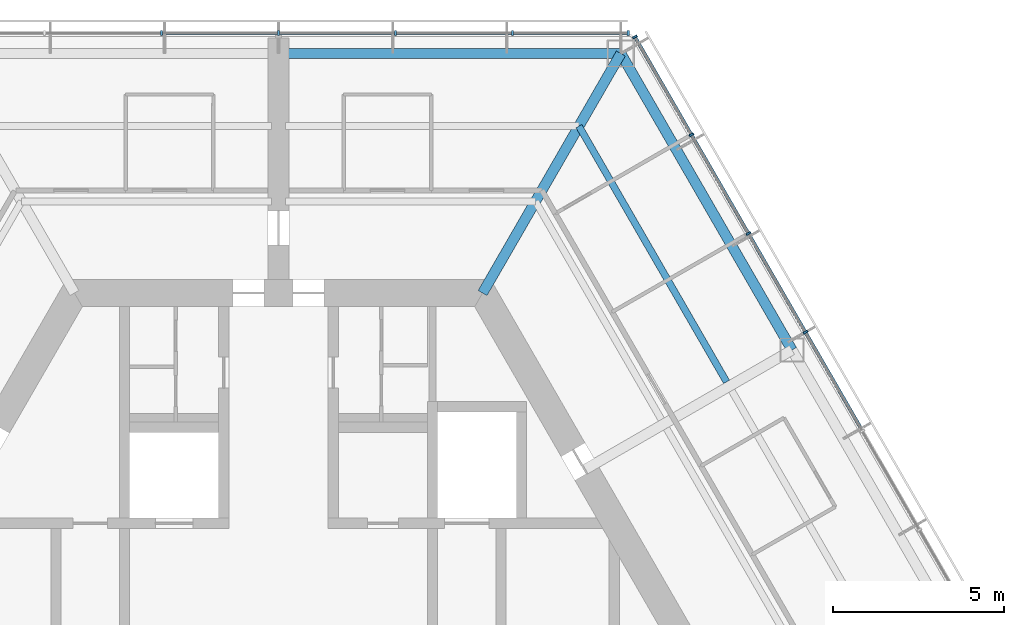
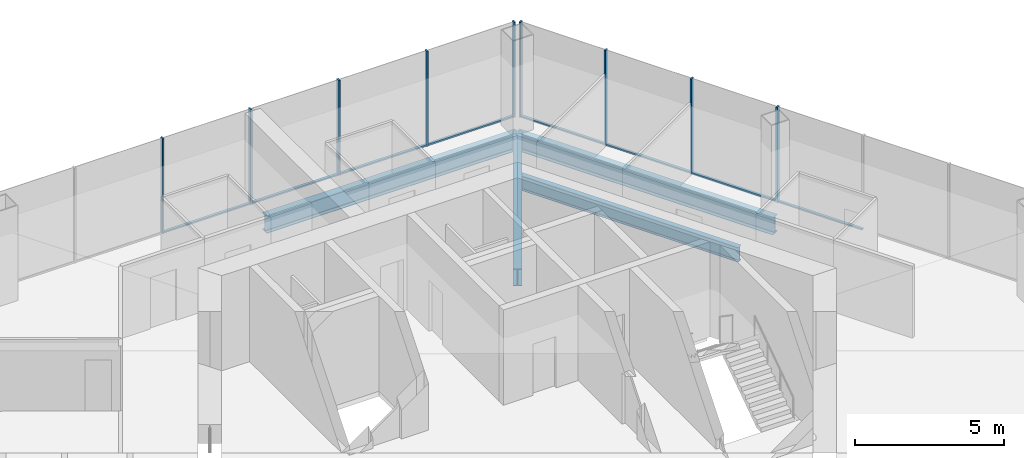
# One storey, part 7 of 15: 17 members, 4 beams, 2 elements without a shape of their own.
"""IFC4 building model written with IfcOpenShell, lengths in metres."""

from ifc_helpers import new_model, si_unit, direction, frame, origin, origin_2d, place, context, subcontext, project, spatial, rectangle, i_section, extrude, material, material_profile, profile_set, type_object, element, aggregate, save


model = new_model("IFC4")

# Units and contexts
model_context = context("Model", 3, precision=1e-05, world=origin(), true_north=direction((0.0, 1.0)))
body_context = subcontext(model_context, "Body", "Model", "MODEL_VIEW")
ifc_project = project(units=[si_unit("LENGTHUNIT", "METRE"), si_unit("AREAUNIT", "SQUARE_METRE"), si_unit("VOLUMEUNIT", "CUBIC_METRE"), si_unit("PLANEANGLEUNIT", "RADIAN"), si_unit("MASSUNIT", "GRAM", prefix="KILO")], contexts=[model_context])

# Site, building, storey
site_placement = place(None, origin())
site = spatial("IfcSite", under=ifc_project, at=site_placement, CompositionType="ELEMENT")
building_placement = place(site_placement, origin())
building = spatial("IfcBuilding", under=site, at=building_placement, Name="Kasaneha Research Tower", CompositionType="ELEMENT")
storey_placement = place(building_placement, frame((0.0, 0.0, 240.10009765625)))
storey = spatial("IfcBuildingStorey", under=building, at=storey_placement, Name="L60", CompositionType="ELEMENT", Elevation=240.10009765625)

# Beam
ifc_material_1 = material(Name="Steel SN490B", Category="steel")
ifc_material_profile_1 = material_profile(ifc_material_1, i_section(OverallWidth=0.199951171875, OverallDepth=0.60009765625, WebThickness=0.010986328125, FlangeThickness=0.01708984375, FilletRadius=0.012939453125, at=origin_2d()), Name="H-600x200x11x17")
ifc_profile_set_1 = profile_set([ifc_material_profile_1], Name="Steel SN490B")
beam_type_1 = type_object("IfcBeamType", Name="B1-3 secondary beam H-600x200x11x17", PredefinedType="JOIST", material=ifc_profile_set_1)
beam_1_placement = place(storey_placement, frame((8.775634765625, 15.199951171875, -0.4501953125), z_axis=(0.500017275495, -0.866015429543, 0.0), x_axis=(0.866015429543, 0.500017275495, 0.0)))
element("IfcBeam", 1, at=beam_1_placement, inside=storey, type_object=beam_type_1, Name="Secondary beam RS030R2 L60", PredefinedType="JOIST", context=body_context, shape_type="SweptSolid", body=[
    extrude(i_section(OverallWidth=0.199951171875, OverallDepth=0.60009765625, WebThickness=0.010986328125, FlangeThickness=0.01708984375, FilletRadius=0.012939453125, at=origin_2d()), origin(), (0.0, 0.0, 1.0), 8.625732421875),
])

# Curtain wall, members
ifc_material_2 = material(Name="Glass and aluminium", Category="aluminium")
curtain_wall_type = type_object("IfcCurtainWallType", Name="High-rise office curtain wall", PredefinedType="USERDEFINED", material=ifc_material_2)
curtain_wall_1_placement = place(storey_placement, origin())
curtain_wall_1 = element("IfcCurtainWall", 2, at=curtain_wall_1_placement, inside=storey, type_object=curtain_wall_type, Name="CW-O3 L60 run 01a", ObjectType="UNITISED CURTAIN WALL", PredefinedType="USERDEFINED")
ifc_material_3 = material(Name="Aluminium 6063-T6", Category="aluminium")
ifc_material_profile_2 = material_profile(ifc_material_3, rectangle(XDim=0.06005859375, YDim=0.139892578125, at=origin_2d()), Name="CW-O3 mullion 60x140")
ifc_profile_set_2 = profile_set([ifc_material_profile_2], Name="Aluminium 6063-T6")
member_type_1 = type_object("IfcMemberType", Name="CW-O3 mullion", PredefinedType="MULLION", material=ifc_profile_set_2)
member_1_placement = place(storey_placement, frame((15.392822265625, 9.179931640625, 0.0), z_axis=(0.0, 0.0, 1.0), x_axis=(-0.499999979232, 0.866025415775, 0.0)))
member_1 = element("IfcMember", 3, at=member_1_placement, type_object=member_type_1, Name="CW-O3 mullion 4", PredefinedType="MULLION", context=body_context, shape_type="SweptSolid", body=[
    extrude(rectangle(XDim=0.06005859375, YDim=0.139892578125, at=origin_2d()), origin(), (0.0, 0.0, 1.0), 3.89990234375),
])
member_2_placement = place(storey_placement, frame((13.727294921875, 12.064453125, 0.0), z_axis=(0.0, 0.0, 1.0), x_axis=(-0.499999979232, 0.866025415775, 0.0)))
member_2 = element("IfcMember", 4, at=member_2_placement, type_object=member_type_1, Name="CW-O3 mullion 5", PredefinedType="MULLION", context=body_context, shape_type="SweptSolid", body=[
    extrude(rectangle(XDim=0.06005859375, YDim=0.139892578125, at=origin_2d()), origin(), (0.0, 0.0, 1.0), 3.89990234375),
])
member_3_placement = place(storey_placement, frame((12.061767578125, 14.94921875, 0.0), z_axis=(0.0, 0.0, 1.0), x_axis=(-0.499999979232, 0.866025415775, 0.0)))
member_3 = element("IfcMember", 5, at=member_3_placement, type_object=member_type_1, Name="CW-O3 mullion 6", PredefinedType="MULLION", context=body_context, shape_type="SweptSolid", body=[
    extrude(rectangle(XDim=0.06005859375, YDim=0.139892578125, at=origin_2d()), origin(), (0.0, 0.0, 1.0), 3.89990234375),
])
member_4_placement = place(storey_placement, frame((10.411376953125, 17.807861328125, 0.0), z_axis=(0.0, 0.0, 1.0), x_axis=(-0.499999979232, 0.866025415775, 0.0)))
member_4 = element("IfcMember", 6, at=member_4_placement, type_object=member_type_1, Name="CW-O3 mullion 7", PredefinedType="MULLION", context=body_context, shape_type="SweptSolid", body=[
    extrude(rectangle(XDim=0.06005859375, YDim=0.139892578125, at=origin_2d()), origin(), (0.0, 0.0, 1.0), 3.89990234375),
])

curtain_wall_2_placement = place(storey_placement, origin())
curtain_wall_2 = element("IfcCurtainWall", 7, at=curtain_wall_2_placement, inside=storey, type_object=curtain_wall_type, Name="CW-O3 L60 run 02a", ObjectType="UNITISED CURTAIN WALL", PredefinedType="USERDEFINED")
member_5_placement = place(storey_placement, frame((10.21630859375, 17.92041015625, 0.0), z_axis=(0.0, 0.0, 1.0), x_axis=(-1.0, 0.0, 0.0)))
member_5 = element("IfcMember", 8, at=member_5_placement, type_object=member_type_1, Name="CW-O3 mullion 1", PredefinedType="MULLION", context=body_context, shape_type="SweptSolid", body=[
    extrude(rectangle(XDim=0.06005859375, YDim=0.139892578125, at=origin_2d()), origin(), (0.0, 0.0, 1.0), 3.89990234375),
])
member_6_placement = place(storey_placement, frame((6.8310546875, 17.92041015625, 0.0), z_axis=(0.0, 0.0, 1.0), x_axis=(-1.0, 0.0, 0.0)))
member_6 = element("IfcMember", 9, at=member_6_placement, type_object=member_type_1, Name="CW-O3 mullion 2", PredefinedType="MULLION", context=body_context, shape_type="SweptSolid", body=[
    extrude(rectangle(XDim=0.06005859375, YDim=0.139892578125, at=origin_2d()), origin(), (0.0, 0.0, 1.0), 3.89990234375),
])
member_7_placement = place(storey_placement, frame((3.41552734375, 17.92041015625, 0.0), z_axis=(0.0, 0.0, 1.0), x_axis=(-1.0, 0.0, 0.0)))
member_7 = element("IfcMember", 10, at=member_7_placement, type_object=member_type_1, Name="CW-O3 mullion 3", PredefinedType="MULLION", context=body_context, shape_type="SweptSolid", body=[
    extrude(rectangle(XDim=0.06005859375, YDim=0.139892578125, at=origin_2d()), origin(), (0.0, 0.0, 1.0), 3.89990234375),
])
member_8_placement = place(storey_placement, frame((0.0, 17.92041015625, 0.0), z_axis=(0.0, 0.0, 1.0), x_axis=(-1.0, 0.0, 0.0)))
member_8 = element("IfcMember", 11, at=member_8_placement, type_object=member_type_1, Name="CW-O3 mullion 4", PredefinedType="MULLION", context=body_context, shape_type="SweptSolid", body=[
    extrude(rectangle(XDim=0.06005859375, YDim=0.139892578125, at=origin_2d()), origin(), (0.0, 0.0, 1.0), 3.89990234375),
])
member_9_placement = place(storey_placement, frame((-3.41552734375, 17.92041015625, 0.0), z_axis=(0.0, 0.0, 1.0), x_axis=(-1.0, 0.0, 0.0)))
member_9 = element("IfcMember", 12, at=member_9_placement, type_object=member_type_1, Name="CW-O3 mullion 5", PredefinedType="MULLION", context=body_context, shape_type="SweptSolid", body=[
    extrude(rectangle(XDim=0.06005859375, YDim=0.139892578125, at=origin_2d()), origin(), (0.0, 0.0, 1.0), 3.89990234375),
])

# Member
ifc_material_4 = material(Name="Aluminium 6063-T6", Category="aluminium")
ifc_material_profile_3 = material_profile(ifc_material_4, rectangle(XDim=0.10009765625, YDim=0.06005859375, at=origin_2d()), Name="CW-O3 transom 100x60")
ifc_profile_set_3 = profile_set([ifc_material_profile_3], Name="Aluminium 6063-T6")
member_type_2 = type_object("IfcMemberType", Name="CW-O3 transom", PredefinedType="USERDEFINED", material=ifc_profile_set_3)
member_10_placement = place(storey_placement, frame((17.043212890625, 6.3212890625, 0.02978515625), z_axis=(-0.50003259116, 0.866006586452, 0.0), x_axis=(-0.866006586452, -0.50003259116, 0.0)))
member_10 = element("IfcMember", 13, at=member_10_placement, type_object=member_type_2, Name="CW-O3 transom 3", ObjectType="TRANSOM", PredefinedType="USERDEFINED", context=body_context, shape_type="SweptSolid", body=[
    extrude(rectangle(XDim=0.10009765625, YDim=0.06005859375, at=origin_2d()), origin(), (0.0, 0.0, 1.0), 3.270751953125),
])

member_11_placement = place(storey_placement, frame((15.3779296875, 9.205810546875, 0.02978515625), z_axis=(-0.500000270186, 0.866025247793, 0.0), x_axis=(-0.866025247793, -0.500000270186, 0.0)))
member_11 = element("IfcMember", 14, at=member_11_placement, type_object=member_type_2, Name="CW-O3 transom 4", ObjectType="TRANSOM", PredefinedType="USERDEFINED", context=body_context, shape_type="SweptSolid", body=[
    extrude(rectangle(XDim=0.10009765625, YDim=0.06005859375, at=origin_2d()), origin(), (0.0, 0.0, 1.0), 3.27099609375),
])

member_12_placement = place(storey_placement, frame((13.71240234375, 12.090576171875, 0.02978515625), z_axis=(-0.500000270186, 0.866025247793, 0.0), x_axis=(-0.866025247793, -0.500000270186, 0.0)))
member_12 = element("IfcMember", 15, at=member_12_placement, type_object=member_type_2, Name="CW-O3 transom 5", ObjectType="TRANSOM", PredefinedType="USERDEFINED", context=body_context, shape_type="SweptSolid", body=[
    extrude(rectangle(XDim=0.10009765625, YDim=0.06005859375, at=origin_2d()), origin(), (0.0, 0.0, 1.0), 3.27099609375),
])

member_13_placement = place(storey_placement, frame((12.046875, 14.97509765625, 0.02978515625), z_axis=(-0.499955025697, 0.866051368154, 0.0), x_axis=(-0.866051368154, -0.499955025697, 0.0)))
member_13 = element("IfcMember", 16, at=member_13_placement, type_object=member_type_2, Name="CW-O3 transom 6", ObjectType="TRANSOM", PredefinedType="USERDEFINED", context=body_context, shape_type="SweptSolid", body=[
    extrude(rectangle(XDim=0.10009765625, YDim=0.06005859375, at=origin_2d()), origin(), (0.0, 0.0, 1.0), 3.240966796875),
])

aggregate(curtain_wall_1, [member_1, member_2, member_3, member_4, member_10, member_11, member_12, member_13])

member_14_placement = place(storey_placement, frame((10.1865234375, 17.92041015625, 0.02978515625), z_axis=(-1.0, 0.0, 0.0), x_axis=(0.0, -1.0, 0.0)))
member_14 = element("IfcMember", 17, at=member_14_placement, type_object=member_type_2, Name="CW-O3 transom 1", ObjectType="TRANSOM", PredefinedType="USERDEFINED", context=body_context, shape_type="SweptSolid", body=[
    extrude(rectangle(XDim=0.10009765625, YDim=0.06005859375, at=origin_2d()), origin(), (0.0, 0.0, 1.0), 3.32568359375),
])

member_15_placement = place(storey_placement, frame((6.801025390625, 17.92041015625, 0.02978515625), z_axis=(-1.0, 0.0, 0.0), x_axis=(0.0, -1.0, 0.0)))
member_15 = element("IfcMember", 18, at=member_15_placement, type_object=member_type_2, Name="CW-O3 transom 2", ObjectType="TRANSOM", PredefinedType="USERDEFINED", context=body_context, shape_type="SweptSolid", body=[
    extrude(rectangle(XDim=0.10009765625, YDim=0.06005859375, at=origin_2d()), origin(), (0.0, 0.0, 1.0), 3.35546875),
])

member_16_placement = place(storey_placement, frame((3.385498046875, 17.92041015625, 0.02978515625), z_axis=(-1.0, 0.0, 0.0), x_axis=(0.0, -1.0, 0.0)))
member_16 = element("IfcMember", 19, at=member_16_placement, type_object=member_type_2, Name="CW-O3 transom 3", ObjectType="TRANSOM", PredefinedType="USERDEFINED", context=body_context, shape_type="SweptSolid", body=[
    extrude(rectangle(XDim=0.10009765625, YDim=0.06005859375, at=origin_2d()), origin(), (0.0, 0.0, 1.0), 3.35546875),
])

member_17_placement = place(storey_placement, frame((-0.030029296875, 17.92041015625, 0.02978515625), z_axis=(-1.0, 0.0, 0.0), x_axis=(0.0, -1.0, 0.0)))
member_17 = element("IfcMember", 20, at=member_17_placement, type_object=member_type_2, Name="CW-O3 transom 4", ObjectType="TRANSOM", PredefinedType="USERDEFINED", context=body_context, shape_type="SweptSolid", body=[
    extrude(rectangle(XDim=0.10009765625, YDim=0.06005859375, at=origin_2d()), origin(), (0.0, 0.0, 1.0), 3.35546875),
])

aggregate(curtain_wall_2, [member_5, member_6, member_7, member_8, member_9, member_14, member_15, member_16, member_17])

# Beams
ifc_material_5 = material(Name="Steel SN490B", Category="steel")
ifc_material_profile_4 = material_profile(ifc_material_5, i_section(OverallWidth=0.300048828125, OverallDepth=0.699951171875, WebThickness=0.012939453125, FlangeThickness=0.02392578125, FilletRadius=0.01806640625, at=origin_2d()), Name="H-700x300x13x24")
ifc_profile_set_4 = profile_set([ifc_material_profile_4], Name="Steel SN490B")
beam_type_2 = type_object("IfcBeamType", Name="G1-3 radial girder H-700x300x13x24", PredefinedType="BEAM", material=ifc_profile_set_4)
beam_2_placement = place(storey_placement, frame((5.961181640625, 10.324951171875, -0.5), z_axis=(0.49999105496, 0.866030568144, 0.0), x_axis=(-0.866030568144, 0.49999105496, 0.0)))
element("IfcBeam", 21, at=beam_2_placement, inside=storey, type_object=beam_type_2, Name="Radial girder RV060 L60", PredefinedType="BEAM", context=body_context, shape_type="SweptSolid", body=[
    extrude(i_section(OverallWidth=0.300048828125, OverallDepth=0.699951171875, WebThickness=0.012939453125, FlangeThickness=0.02392578125, FilletRadius=0.01806640625, at=origin_2d()), origin(), (0.0, 0.0, 1.0), 8.077880859375),
])
ifc_material_6 = material(Name="Steel SN490B", Category="steel")
ifc_material_profile_5 = material_profile(ifc_material_6, i_section(OverallWidth=0.300048828125, OverallDepth=0.69189453125, WebThickness=0.012939453125, FlangeThickness=0.02001953125, FilletRadius=0.01806640625, at=origin_2d()), Name="H-692x300x13x20")
ifc_profile_set_5 = profile_set([ifc_material_profile_5], Name="Steel SN490B")
beam_type_3 = type_object("IfcBeamType", Name="G3-3 plate edge girder H-692x300x13x20", PredefinedType="BEAM", material=ifc_profile_set_5)
beam_3_placement = place(storey_placement, frame((10.0, 17.320556640625, -0.49609375), z_axis=(-1.0, 0.0, 0.0), x_axis=(0.0, -1.0, 0.0)))
element("IfcBeam", 22, at=beam_3_placement, inside=storey, type_object=beam_type_3, Name="Plate edge girder PEAP L60", PredefinedType="BEAM", context=body_context, shape_type="SweptSolid", body=[
    extrude(i_section(OverallWidth=0.300048828125, OverallDepth=0.69189453125, WebThickness=0.012939453125, FlangeThickness=0.02001953125, FilletRadius=0.01806640625, at=origin_2d()), origin(), (0.0, 0.0, 1.0), 9.800048828125),
])
ifc_material_7 = material(Name="Steel SN490B", Category="steel")
ifc_material_profile_6 = material_profile(ifc_material_7, i_section(OverallWidth=0.300048828125, OverallDepth=0.69189453125, WebThickness=0.012939453125, FlangeThickness=0.02001953125, FilletRadius=0.01806640625, at=origin_2d()), Name="H-692x300x13x20")
ifc_profile_set_6 = profile_set([ifc_material_profile_6], Name="Steel SN490B")
beam_type_4 = type_object("IfcBeamType", Name="SB1-3 spandrel beam H-692x300x13x20", PredefinedType="SPANDREL", material=ifc_profile_set_6)
beam_4_placement = place(storey_placement, frame((10.0, 17.320556640625, -0.49609375), z_axis=(0.499993662806, -0.866029062534, 0.0), x_axis=(0.866029062534, 0.499993662806, 0.0)))
element("IfcBeam", 23, at=beam_4_placement, inside=storey, type_object=beam_type_4, Name="Spandrel beam SR030R L60", PredefinedType="SPANDREL", context=body_context, shape_type="SweptSolid", body=[
    extrude(i_section(OverallWidth=0.300048828125, OverallDepth=0.69189453125, WebThickness=0.012939453125, FlangeThickness=0.02001953125, FilletRadius=0.01806640625, at=origin_2d()), origin(), (0.0, 0.0, 1.0), 10.000244140625),
])

save(model, "model.ifc")
